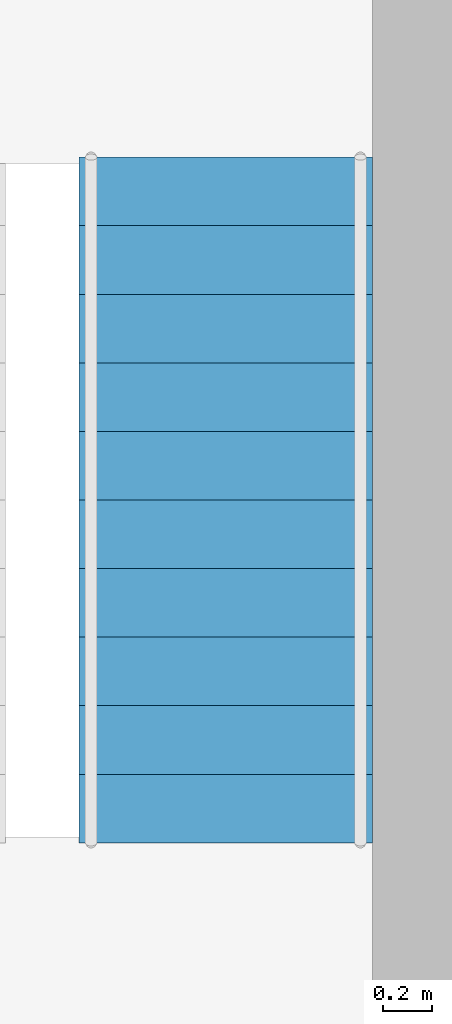
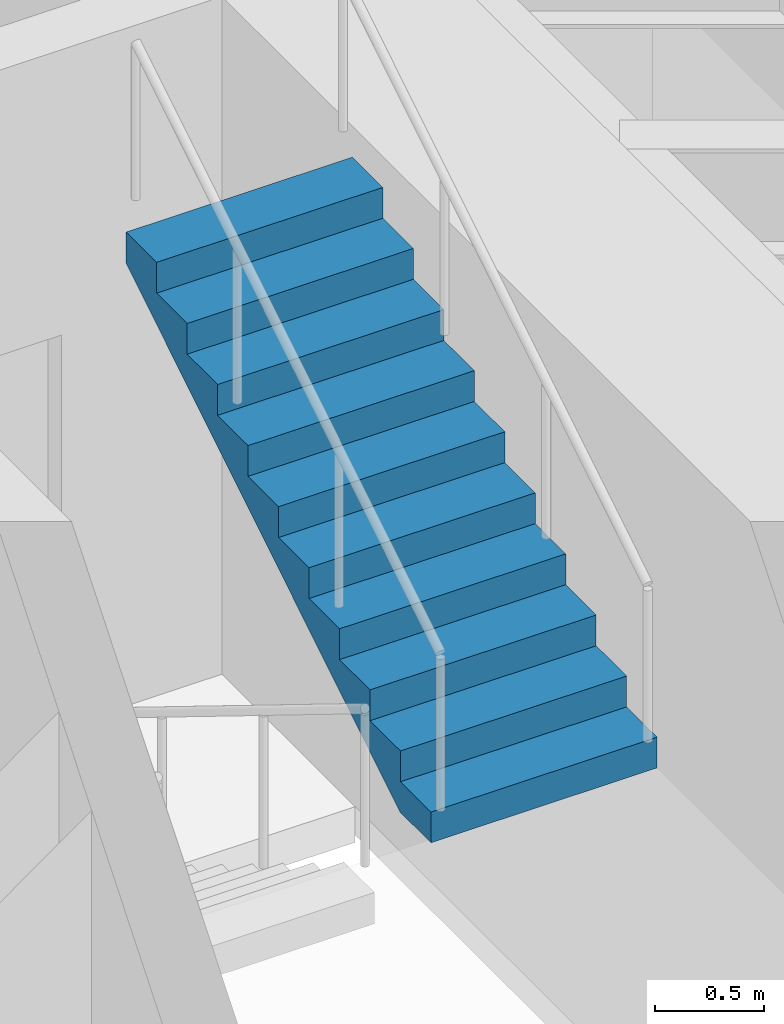
# One storey, part 16 of 17: 1 stair flight, 1 element without a shape of its own.
"""IFC4 building model written with IfcOpenShell, lengths in metres."""

import ifcopenshell
import ifcopenshell.guid

model = None  # the IFC model being written
_history = None  # IfcOwnerHistory: only IFC2X3 demands one
_inside = {}  # id of a spatial element -> (the spatial element, [elements in it])
_under = {}  # id of a project, library or spatial element -> (it, [spatial elements below it])
_declared = {}  # id of a project -> (the project, [libraries it declares])
_typed = {}  # id of a type object -> (the type object, [elements of that type])
_made_of = {}  # id of a material, layer set ... -> (it, [elements and type objects made of it])


def new_model(schema):
    """Start an empty IFC model of exactly this schema.

    Asked for "IFC4X3", IfcOpenShell would pick the latest addendum, in which some entities
    have other attributes; the version numbers below select the first issue.
    IFC2X3 requires an IfcOwnerHistory on every rooted entity: one is made here for all.
    """
    global model, _history
    if schema == "IFC4X3":
        model = ifcopenshell.file(schema_version=(4, 3, 0, 0))
    else:
        model = ifcopenshell.file(schema=schema)
    _inside.clear()
    _under.clear()
    _declared.clear()
    _typed.clear()
    _made_of.clear()
    _history = None
    if model.schema == "IFC2X3":
        org = make("IfcOrganization", Name="unknown")
        user = make(
            "IfcPersonAndOrganization",
            ThePerson=make("IfcPerson", FamilyName="unknown"),
            TheOrganization=org,
        )
        app = make(
            "IfcApplication",
            ApplicationDeveloper=org,
            Version="unknown",
            ApplicationFullName="unknown",
            ApplicationIdentifier="unknown",
        )
        _history = make(
            "IfcOwnerHistory",
            OwningUser=user,
            OwningApplication=app,
            ChangeAction="ADDED",
            CreationDate=0,
        )
    return model


def make(cls, **values):
    """One entity of the class cls with the attributes given. An attribute that is None is left unset."""
    return model.create_entity(
        cls, **{name: value for name, value in values.items() if value is not None}
    )


def rooted(cls, **values):
    """An entity with a GlobalId (a new one), such as an element, a storey or a relation."""
    return make(cls, GlobalId=ifcopenshell.guid.new(), OwnerHistory=_history, **values)


def si_unit(unit_type, name, prefix=None):
    """IfcSIUnit, for example si_unit("LENGTHUNIT", "METRE", prefix="MILLI")."""
    return make("IfcSIUnit", UnitType=unit_type, Prefix=prefix, Name=name)


def assignment(units):
    """IfcUnitAssignment: the units of a project."""
    return None if units is None else make("IfcUnitAssignment", Units=units)


def point(xyz):
    """IfcCartesianPoint."""
    return None if xyz is None else make("IfcCartesianPoint", Coordinates=xyz)


def direction(xyz):
    """IfcDirection."""
    return None if xyz is None else make("IfcDirection", DirectionRatios=xyz)


def frame(location, z_axis=None, x_axis=None):
    """IfcAxis2Placement3D, a coordinate frame: its origin and axes. An axis left out is left unset."""
    return make(
        "IfcAxis2Placement3D",
        Location=point(location),
        Axis=direction(z_axis),
        RefDirection=direction(x_axis),
    )


def origin():
    """The frame at (0, 0, 0) with its axes left unset."""
    return frame((0.0, 0.0, 0.0))


def place(relative_to, where):
    """IfcLocalPlacement: puts the frame where relative to a parent placement (None: the world)."""
    return make(
        "IfcLocalPlacement", PlacementRelTo=relative_to, RelativePlacement=where
    )


def context(
    kind, dimensions, precision=None, world=None, true_north=None, identifier=None
):
    """IfcGeometricRepresentationContext, for example the 3D "Model" context."""
    return make(
        "IfcGeometricRepresentationContext",
        ContextIdentifier=identifier,
        ContextType=kind,
        CoordinateSpaceDimension=dimensions,
        Precision=precision,
        WorldCoordinateSystem=world,
        TrueNorth=true_north,
    )


def subcontext(parent, identifier, kind, view, scale=None):
    """IfcGeometricRepresentationSubContext, for example "Body" below "Model"."""
    return make(
        "IfcGeometricRepresentationSubContext",
        ContextIdentifier=identifier,
        ContextType=kind,
        ParentContext=parent,
        TargetScale=scale,
        TargetView=view,
    )


def project(units=None, contexts=None):
    """IfcProject with its units and contexts."""
    return rooted(
        "IfcProject",
        Name="project",
        RepresentationContexts=contexts,
        UnitsInContext=assignment(units),
    )


def spatial(cls, under=None, at=None, **own):
    """A site, building, storey or space (cls), placed at a placement, below another one or the project."""
    s = rooted(cls, ObjectPlacement=at, **own)
    if under is not None:
        _under.setdefault(under.id(), (under, []))[1].append(s)
    return s


def polyline(points):
    """IfcPolyline through the points."""
    return make("IfcPolyline", Points=[point(p) for p in points])


def outline(outer, holes=None, kind="AREA"):
    """IfcArbitraryClosedProfileDef: a profile drawn as a closed curve; with holes, ...WithVoids."""
    if holes is None:
        return make("IfcArbitraryClosedProfileDef", ProfileType=kind, OuterCurve=outer)
    return make(
        "IfcArbitraryProfileDefWithVoids",
        ProfileType=kind,
        OuterCurve=outer,
        InnerCurves=holes,
    )


def extrude(swept, where, along, depth):
    """IfcExtrudedAreaSolid: the profile swept, set in the frame where, extruded along a direction by depth."""
    return make(
        "IfcExtrudedAreaSolid",
        SweptArea=swept,
        Position=where,
        ExtrudedDirection=direction(along),
        Depth=depth,
    )


def shape(context_of_items, identifier, shape_type, items):
    """IfcShapeRepresentation: the items that make up one representation, for example the "Body"."""
    return make(
        "IfcShapeRepresentation",
        ContextOfItems=context_of_items,
        RepresentationIdentifier=identifier,
        RepresentationType=shape_type,
        Items=items,
    )


def material(Name=None, Category=None):
    """IfcMaterial."""
    return make("IfcMaterial", Name=Name, Category=Category)


def made_of(thing, what):
    """Note that an element or type object is made of a material, layer set ...; save() writes the relation."""
    if what is not None:
        _made_of.setdefault(what.id(), (what, []))[1].append(thing)
    return thing


def type_object(cls, material=None, **own):
    """A type object (cls), such as IfcWallType, which elements share."""
    return made_of(rooted(cls, **own), material)


def element(
    cls,
    number,
    at=None,
    inside=None,
    cuts=None,
    type_object=None,
    material=None,
    context=None,
    identifier="Body",
    shape_type=None,
    held_by="IfcProductDefinitionShape",
    body=None,
    shapes=None,
    **own,
):
    """One element of the class cls, such as IfcWall. Its Tag is "e" and its number.

    at: its placement. inside: the storey or other place that contains it. cuts: it is an
    opening in that element (IfcRelVoidsElement). A single representation is given by context,
    identifier, shape_type and body (its items); several are given by shapes. held_by: the class
    of the entity that holds the representations. save() writes the other relations.
    """
    e = rooted(cls, Tag="e%d" % number, ObjectPlacement=at, **own)
    if body is not None:
        shapes = [shape(context, identifier, shape_type, body)]
    if shapes is not None:
        e.Representation = make(held_by, Representations=shapes)
    if inside is not None:
        _inside.setdefault(inside.id(), (inside, []))[1].append(e)
    if cuts is not None:
        rooted(
            "IfcRelVoidsElement", RelatingBuildingElement=cuts, RelatedOpeningElement=e
        )
    if type_object is not None:
        _typed.setdefault(type_object.id(), (type_object, []))[1].append(e)
    return made_of(e, material)


def aggregate(whole, parts):
    """IfcRelAggregates: a whole, such as a stair, and the parts it consists of."""
    return rooted("IfcRelAggregates", RelatingObject=whole, RelatedObjects=parts)


def save(model, path):
    """Write the relations noted so far, then the file.

    IfcRelAggregates (storeys below a building ...), IfcRelContainedInSpatialStructure (elements
    in a storey), IfcRelDefinesByType, IfcRelAssociatesMaterial and IfcRelDeclares: one each for
    every whole, place, type object, material and project.
    """
    for whole, parts in _under.values():
        aggregate(whole, parts)
    for where, things in _inside.values():
        rooted(
            "IfcRelContainedInSpatialStructure",
            RelatedElements=things,
            RelatingStructure=where,
        )
    for kind, things in _typed.values():
        rooted("IfcRelDefinesByType", RelatedObjects=things, RelatingType=kind)
    for what, things in _made_of.values():
        rooted("IfcRelAssociatesMaterial", RelatedObjects=things, RelatingMaterial=what)
    for by, libraries in _declared.values():
        rooted("IfcRelDeclares", RelatingContext=by, RelatedDefinitions=libraries)
    model.write(path)


model = new_model("IFC4")

# Units and contexts
model_context = context("Model", 3, precision=1e-05, world=origin(), true_north=direction((0.0, 1.0)))
body_context = subcontext(model_context, "Body", "Model", "MODEL_VIEW")
ifc_project = project(units=[si_unit("LENGTHUNIT", "METRE"), si_unit("AREAUNIT", "SQUARE_METRE"), si_unit("VOLUMEUNIT", "CUBIC_METRE"), si_unit("PLANEANGLEUNIT", "RADIAN"), si_unit("MASSUNIT", "GRAM", prefix="KILO")], contexts=[model_context])

# Site, building, storey
site_placement = place(None, origin())
site = spatial("IfcSite", under=ifc_project, at=site_placement, CompositionType="ELEMENT")
building_placement = place(site_placement, origin())
building = spatial("IfcBuilding", under=site, at=building_placement, Name="Sandreach Pilgrim Tower", CompositionType="ELEMENT")
storey_placement = place(building_placement, frame((0.0, 0.0, 221.199951171875)))
storey = spatial("IfcBuildingStorey", under=building, at=storey_placement, Name="L55", CompositionType="ELEMENT", Elevation=221.199951171875)

# Stair, stair flight
ifc_material_1 = material(Name="Concrete 8000 psi", Category="concrete")
stair_type = type_object("IfcStairType", Name="Core exit stair", PredefinedType="HALF_TURN_STAIR", material=ifc_material_1)
stair_placement = place(storey_placement, origin())
stair = element("IfcStair", 1, at=stair_placement, inside=storey, type_object=stair_type, Name="Exit stair ST2 L55", PredefinedType="HALF_TURN_STAIR")
ifc_material_2 = material(Name="Concrete 8000 psi", Category="concrete")
stair_flight_type = type_object("IfcStairFlightType", Name="Core stair flight 1200", PredefinedType="STRAIGHT", material=ifc_material_2)
stair_flight_placement = place(storey_placement, frame((7.14990234375, -3.199951171875, 1.900146484375), z_axis=(0.0, 0.0, 1.0), x_axis=(0.0, 1.0, 0.0)))
stair_flight = element("IfcStairFlight", 2, at=stair_flight_placement, type_object=stair_flight_type, Name="ST2 flight 2", NumberOfRisers=11, NumberOfTreads=10, PredefinedType="STRAIGHT", RiserHeight=0.172727273, TreadLength=0.28, context=body_context, shape_type="SweptSolid", body=[
    extrude(outline(polyline([(0.0, 0.0), (0.0, 0.172607421875), (0.280029296875, 0.172607421875), (0.280029296875, 0.345458984375), (0.56005859375, 0.345458984375), (0.56005859375, 0.51806640625), (0.840087890625, 0.51806640625), (0.840087890625, 0.69091796875), (1.1201171875, 0.69091796875), (1.1201171875, 0.863525390625), (1.39990234375, 0.863525390625), (1.39990234375, 1.036376953125), (1.679931640625, 1.036376953125), (1.679931640625, 1.208984375), (1.9599609375, 1.208984375), (1.9599609375, 1.3818359375), (2.239990234375, 1.3818359375), (2.239990234375, 1.554443359375), (2.52001953125, 1.554443359375), (2.52001953125, 1.727294921875), (2.800048828125, 1.727294921875), (2.800048828125, 1.89990234375), (2.800048828125, 1.551025390625), (0.285400390625, 0.0), (0.0, 0.0)])), frame((0.0, 0.60009765625, 0.0), z_axis=(0.0, -1.0, 0.0), x_axis=(1.0, 0.0, 0.0)), (0.0, 0.0, 1.0), 1.199951171875),
])
aggregate(stair, [stair_flight])

save(model, "model.ifc")
